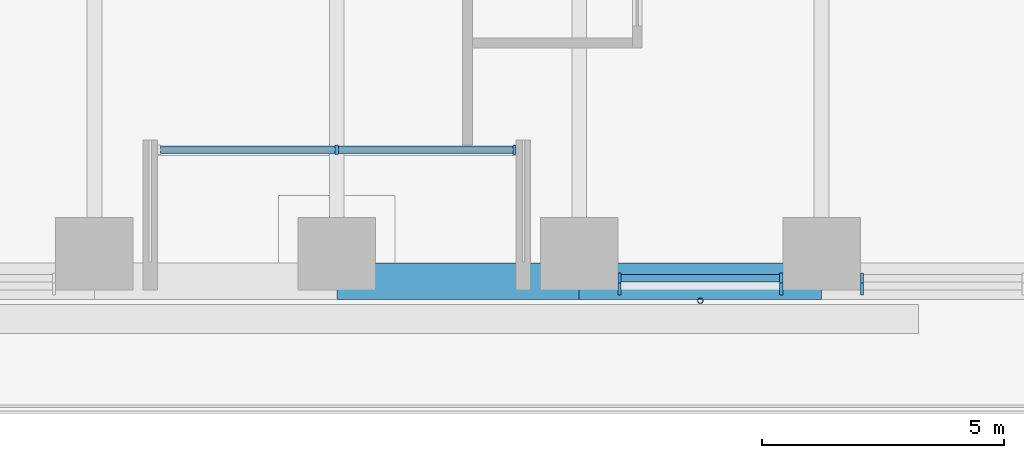
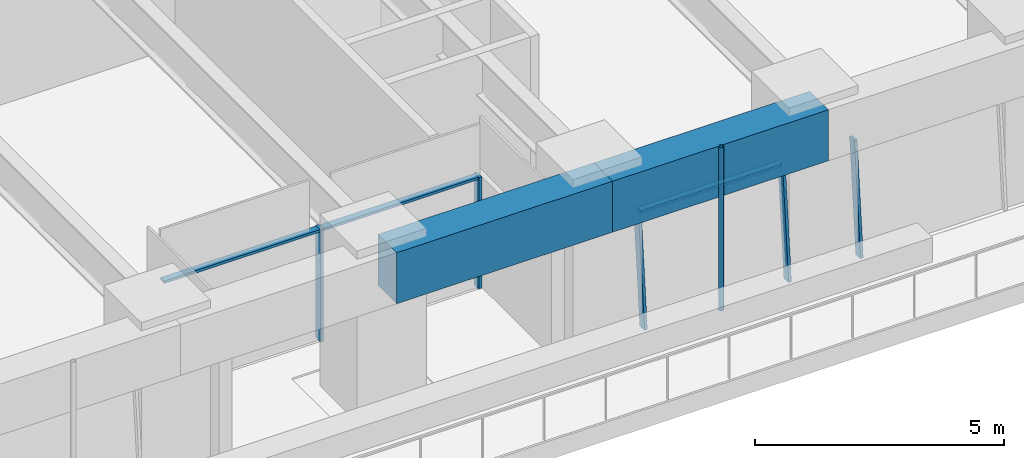
# One storey, part 4 of 24: 8 members, 2 beams, 3 elements without a shape of their own.
"""IFC4 building model written with IfcOpenShell, lengths in metres."""

from ifc_helpers import new_model, si_unit, direction, frame, origin, origin_2d, place, context, subcontext, project, spatial, rectangle, hollow_circle, extrude, material, material_profile, profile_set, type_object, element, aggregate, save


model = new_model("IFC4")

# Units and contexts
model_context = context("Model", 3, precision=1e-05, world=origin(), true_north=direction((0.0, 1.0)))
body_context = subcontext(model_context, "Body", "Model", "MODEL_VIEW")
ifc_project = project(units=[si_unit("LENGTHUNIT", "METRE"), si_unit("AREAUNIT", "SQUARE_METRE"), si_unit("VOLUMEUNIT", "CUBIC_METRE"), si_unit("PLANEANGLEUNIT", "RADIAN"), si_unit("MASSUNIT", "GRAM", prefix="KILO")], contexts=[model_context])

# Site, building, storey
site_placement = place(None, origin())
site = spatial("IfcSite", under=ifc_project, at=site_placement, CompositionType="ELEMENT")
building_placement = place(site_placement, origin())
building = spatial("IfcBuilding", under=site, at=building_placement, Name="Tarfa Lantern Tower", CompositionType="ELEMENT")
storey_placement = place(building_placement, frame((0.0, 0.0, 157.300048828125)))
storey = spatial("IfcBuildingStorey", under=building, at=storey_placement, Name="L35", CompositionType="ELEMENT", Elevation=157.300048828125)

# Curtain wall, members
ifc_material_1 = material(Name="Aluminium framed curtain wall", Category="aluminium")
curtain_wall_type_1 = type_object("IfcCurtainWallType", Name="CW2 CANTED GLAZING MID ZONE 2750", PredefinedType="USERDEFINED", material=ifc_material_1)
curtain_wall_1_placement = place(storey_placement, origin())
curtain_wall_1 = element("IfcCurtainWall", 1, at=curtain_wall_1_placement, inside=storey, type_object=curtain_wall_type_1, Name="CW2 SB L35", ObjectType="CURTAIN WALL", PredefinedType="USERDEFINED")
ifc_material_2 = material(Name="Aluminium mullion", Category="aluminium")
ifc_material_profile_1 = material_profile(ifc_material_2, rectangle(XDim=0.06494140625, YDim=0.199951171875, at=origin_2d()), Name="AL MULLION 65x200")
ifc_profile_set_1 = profile_set([ifc_material_profile_1], Name="Aluminium mullion")
member_type_1 = type_object("IfcMemberType", Name="CWM1 MULLION 65x200", PredefinedType="MULLION", material=ifc_profile_set_1)
member_1_placement = place(storey_placement, frame((5.836181640625, -31.39990234375, 0.0), z_axis=(0.0, 0.090535746043, 0.995893206468), x_axis=(-1.0, 0.0, 0.0)))
member_1 = element("IfcMember", 2, at=member_1_placement, type_object=member_type_1, Name="CW2 mullion 1", PredefinedType="MULLION", context=body_context, shape_type="SweptSolid", body=[
    extrude(rectangle(XDim=0.06494140625, YDim=0.199951171875, at=origin_2d()), origin(), (0.0, 0.0, 1.0), 2.76123046875),
])
member_2_placement = place(storey_placement, frame((9.1748046875, -31.39990234375, 0.0), z_axis=(0.0, 0.090535746043, 0.995893206468), x_axis=(-1.0, 0.0, 0.0)))
member_2 = element("IfcMember", 3, at=member_2_placement, type_object=member_type_1, Name="CW2 mullion 2", PredefinedType="MULLION", context=body_context, shape_type="SweptSolid", body=[
    extrude(rectangle(XDim=0.06494140625, YDim=0.199951171875, at=origin_2d()), origin(), (0.0, 0.0, 1.0), 2.76123046875),
])

# Curtain wall, member
curtain_wall_2_placement = place(storey_placement, origin())
curtain_wall_2 = element("IfcCurtainWall", 4, at=curtain_wall_2_placement, inside=storey, type_object=curtain_wall_type_1, Name="CW2 SB L35", ObjectType="CURTAIN WALL", PredefinedType="USERDEFINED")
member_3_placement = place(storey_placement, frame((10.83984375, -31.39990234375, 0.0), z_axis=(0.0, 0.090535746043, 0.995893206468), x_axis=(-1.0, 0.0, 0.0)))
member_3 = element("IfcMember", 5, at=member_3_placement, type_object=member_type_1, Name="CW2 mullion 1", PredefinedType="MULLION", context=body_context, shape_type="SweptSolid", body=[
    extrude(rectangle(XDim=0.06494140625, YDim=0.199951171875, at=origin_2d()), origin(), (0.0, 0.0, 1.0), 2.76123046875),
])
aggregate(curtain_wall_2, [member_3])

# Curtain wall, members
curtain_wall_type_2 = type_object("IfcCurtainWallType", Name="CW10 LOGGIA GLAZING 2750", PredefinedType="USERDEFINED", material=ifc_material_1)
curtain_wall_3_placement = place(storey_placement, origin())
curtain_wall_3 = element("IfcCurtainWall", 6, at=curtain_wall_3_placement, inside=storey, type_object=curtain_wall_type_2, Name="CW10 SL L35", ObjectType="CURTAIN WALL", PredefinedType="USERDEFINED")
member_4_placement = place(storey_placement, frame((0.0, -28.5, 0.0), z_axis=(0.0, 0.0, 1.0), x_axis=(1.0, 0.0, 0.0)))
member_4 = element("IfcMember", 7, at=member_4_placement, type_object=member_type_1, Name="CW10 mullion 2", PredefinedType="MULLION", context=body_context, shape_type="SweptSolid", body=[
    extrude(rectangle(XDim=0.06494140625, YDim=0.199951171875, at=origin_2d()), origin(), (0.0, 0.0, 1.0), 2.75),
])
member_5_placement = place(storey_placement, frame((3.671142578125, -28.5, 0.0), z_axis=(0.0, 0.0, 1.0), x_axis=(1.0, 0.0, 0.0)))
member_5 = element("IfcMember", 8, at=member_5_placement, type_object=member_type_1, Name="CW10 mullion 3", PredefinedType="MULLION", context=body_context, shape_type="SweptSolid", body=[
    extrude(rectangle(XDim=0.06494140625, YDim=0.199951171875, at=origin_2d()), origin(), (0.0, 0.0, 1.0), 2.75),
])

# Member
ifc_material_3 = material(Name="Aluminium transom", Category="aluminium")
ifc_material_profile_2 = material_profile(ifc_material_3, rectangle(XDim=0.14990234375, YDim=0.06494140625, at=origin_2d()), Name="AL TRANSOM 150x65")
ifc_profile_set_2 = profile_set([ifc_material_profile_2], Name="Aluminium transom")
member_type_2 = type_object("IfcMemberType", Name="CWT1 TRANSOM 150x65", PredefinedType="USERDEFINED", material=ifc_profile_set_2)
member_6_placement = place(storey_placement, frame((5.86865234375, -31.153076171875, 2.717529296875), z_axis=(1.0, 0.0, 0.0), x_axis=(0.0, 1.0, 0.0)))
member_6 = element("IfcMember", 9, at=member_6_placement, type_object=member_type_2, Name="CW2 transom 1.2", ObjectType="TRANSOM", PredefinedType="USERDEFINED", context=body_context, shape_type="SweptSolid", body=[
    extrude(rectangle(XDim=0.14990234375, YDim=0.06494140625, at=origin_2d()), origin(), (0.0, 0.0, 1.0), 3.273681640625),
])

aggregate(curtain_wall_1, [member_1, member_2, member_6])

member_7_placement = place(storey_placement, frame((-3.638671875, -28.5, 2.717529296875), z_axis=(1.0, 0.0, 0.0), x_axis=(0.0, 1.0, 0.0)))
member_7 = element("IfcMember", 10, at=member_7_placement, type_object=member_type_2, Name="CW10 transom 1.2", ObjectType="TRANSOM", PredefinedType="USERDEFINED", context=body_context, shape_type="SweptSolid", body=[
    extrude(rectangle(XDim=0.14990234375, YDim=0.06494140625, at=origin_2d()), origin(), (0.0, 0.0, 1.0), 7.27734375),
])

aggregate(curtain_wall_3, [member_4, member_5, member_7])

# Beams
ifc_material_4 = material(Name="Concrete C80/95", Category="concrete")
ifc_material_profile_3 = material_profile(ifc_material_4, rectangle(XDim=0.75, YDim=1.25, at=origin_2d()), Name="RC 750x1250")
ifc_profile_set_3 = profile_set([ifc_material_profile_3], Name="Concrete C80/95")
beam_type = type_object("IfcBeamType", Name="EB2 RC 750x1250", PredefinedType="SPANDREL", material=ifc_profile_set_3)
for number, where, z_axis, x_axis, name in (
    (11, (0.0, -31.219970703125, 3.375), (1.0, 0.0, 0.0), (0.0, 1.0, 0.0), "Edge beam S3"),
    (12, (5.003662109375, -31.219970703125, 3.375), (1.0, 0.0, 0.0), (0.0, 1.0, 0.0), "Edge beam S4"),
):
    element("IfcBeam", number, at=place(storey_placement, frame(where, z_axis=z_axis, x_axis=x_axis)), inside=storey, type_object=beam_type, Name=name, PredefinedType="SPANDREL", context=body_context, shape_type="SweptSolid", body=[
        extrude(rectangle(XDim=0.75, YDim=1.25, at=origin_2d()), origin(), (0.0, 0.0, 1.0), 5.003662109375),
    ])

# Member
ifc_material_5 = material(Name="Steel S355", Category="steel")
ifc_material_profile_4 = material_profile(ifc_material_5, hollow_circle(Radius=0.05712890625, WallThickness=0.00634765625, at=origin_2d()), Name="CHS114.3x6.3")
ifc_profile_set_4 = profile_set([ifc_material_profile_4], Name="Steel S355")
member_type_3 = type_object("IfcMemberType", Name="TR1 GREEN WALL TRELLIS CHS114.3x6.3", PredefinedType="USERDEFINED", material=ifc_profile_set_4)
member_8_placement = place(storey_placement, frame((7.505615234375, -31.6201171875, 0.0), z_axis=(0.0, 0.0, 1.0), x_axis=(1.0, 0.0, 0.0)))
element("IfcMember", 13, at=member_8_placement, inside=storey, type_object=member_type_3, Name="Trellis post S 2", ObjectType="TRELLIS", PredefinedType="USERDEFINED", context=body_context, shape_type="SweptSolid", body=[
    extrude(hollow_circle(Radius=0.05712890625, WallThickness=0.00634765625, at=origin_2d()), origin(), (0.0, 0.0, 1.0), 4.0),
])

save(model, "model.ifc")
